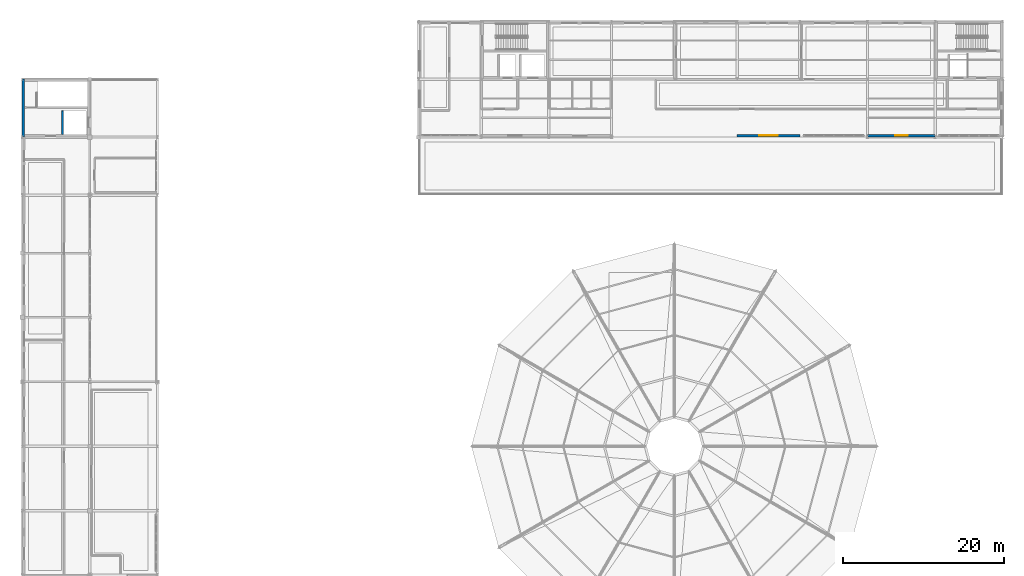
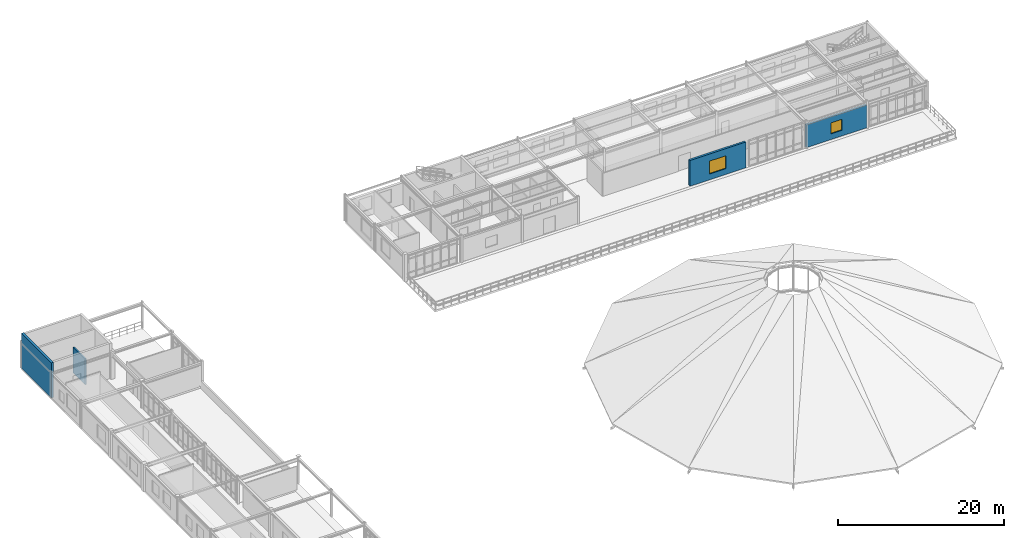
# One storey, part 51 of 58: 4 walls, 2 windows, 2 openings.
"""IFC4 building model written with IfcOpenShell, lengths in metres."""

from ifc_helpers import new_model, si_unit, derived_unit, direction, frame, frame_2d, origin, place, context, subcontext, project, spatial, rectangle, extrude, material, layer, layer_set, type_object, element, fill, save


model = new_model("IFC4")

# Units and contexts
model_context = context("Model", 3, precision=1e-05, world=origin(), true_north=direction((0.0, 1.0)))
body_context = subcontext(model_context, "Body", "Model", "MODEL_VIEW")
ifc_project = project(units=[si_unit("LENGTHUNIT", "METRE"), si_unit("AREAUNIT", "SQUARE_METRE"), si_unit("VOLUMEUNIT", "CUBIC_METRE"), si_unit("PLANEANGLEUNIT", "RADIAN"), si_unit("MASSUNIT", "GRAM", prefix="KILO"), derived_unit("THERMALTRANSMITTANCEUNIT", [(si_unit("POWERUNIT", "WATT"), 1), (si_unit("AREAUNIT", "SQUARE_METRE"), -1), (si_unit("THERMODYNAMICTEMPERATUREUNIT", "KELVIN"), -1)])], contexts=[model_context])

# Site, building, storey
site_placement = place(None, origin())
site = spatial("IfcSite", under=ifc_project, at=site_placement, CompositionType="ELEMENT")
building_placement = place(site_placement, origin())
building = spatial("IfcBuilding", under=site, at=building_placement, Name="Yasenodar Specialist Clinic", CompositionType="ELEMENT")
storey_placement = place(building_placement, frame((0.0, 0.0, 21.300048828125)))
storey = spatial("IfcBuildingStorey", under=building, at=storey_placement, Name="L05", CompositionType="ELEMENT", Elevation=21.300048828125)

# Wall, opening, window
ifc_material_1 = material(Name="Stepped Terrace Insulated Terracotta Wall", Category="masonry")
ifc_layer_1 = layer(ifc_material_1, 0.294921875)
ifc_layer_set_1 = layer_set([ifc_layer_1], Name="Stepped Terrace Insulated Terracotta Wall")
wall_type_1 = type_object("IfcWallType", Name="EW-TERR-295", PredefinedType="SOLIDWALL", material=ifc_layer_set_1)
wall_1_placement = place(storey_placement, frame((113.39990234375, 97.3701171875, 0.0), z_axis=(0.0, 0.0, 1.0), x_axis=(-1.0, 0.0, 0.0)))
wall_1 = element("IfcWall", 1, at=wall_1_placement, inside=storey, type_object=wall_type_1, Name="L05 Exterior Facade Wall 0149", PredefinedType="SOLIDWALL", context=body_context, shape_type="SweptSolid", body=[
    extrude(rectangle(XDim=8.39990234375, YDim=0.294921875, at=frame_2d((4.199951171875, 0.0))), origin(), (0.0, 0.0, 1.0), 3.327880859375),
])
opening_1_placement = place(wall_1_placement, frame((3.425048828125, 0.0, 0.85009765625)))
opening_1 = element("IfcOpeningElement", 2, at=opening_1_placement, cuts=wall_1, Name="Opening W-16", PredefinedType="OPENING", context=body_context, shape_type="SweptSolid", body=[
    extrude(rectangle(XDim=1.550048828125, YDim=1.60009765625, at=frame_2d((0.77490234375, 0.800048828125))), frame((0.0, 0.157470703125, 0.0), z_axis=(0.0, -1.0, 0.0), x_axis=(1.0, 0.0, 0.0)), (0.0, 0.0, 1.0), 0.31494140625),
])
ifc_material_2 = material(Name="Triple Low-E Argon Glazing in Bronze Aluminium Frame", Category="aluminium")
window_type_1 = type_object("IfcWindowType", Name="WIN-EXT-16", PartitioningType="SINGLE_PANEL", PredefinedType="WINDOW", material=ifc_material_2)
window_1_placement = place(opening_1_placement, origin())
window_1 = element("IfcWindow", 3, at=window_1_placement, inside=storey, type_object=window_type_1, Name="L05 Triple-Glazed Reveal Window 0164", OverallHeight=1.60009765625, OverallWidth=1.550048828125, PartitioningType="SINGLE_PANEL", PredefinedType="WINDOW", context=body_context, shape_type="SweptSolid", body=[
    extrude(rectangle(XDim=1.550048828125, YDim=1.60009765625, at=frame_2d((0.77490234375, 0.800048828125))), frame((0.0, 0.030029296875, 0.0), z_axis=(0.0, -1.0, 0.0), x_axis=(1.0, 0.0, 0.0)), (0.0, 0.0, 1.0), 0.06005859375),
])
fill(opening_1, window_1)

wall_2_placement = place(storey_placement, frame((96.60009765625, 97.3701171875, 0.0), z_axis=(0.0, 0.0, 1.0), x_axis=(-1.0, 0.0, 0.0)))
wall_2 = element("IfcWall", 4, at=wall_2_placement, inside=storey, type_object=wall_type_1, Name="L05 Exterior Facade Wall 0150", PredefinedType="SOLIDWALL", context=body_context, shape_type="SweptSolid", body=[
    extrude(rectangle(XDim=7.800048828125, YDim=0.294921875, at=frame_2d((3.89990234375, 0.0))), origin(), (0.0, 0.0, 1.0), 3.7900390625),
])
opening_2_placement = place(wall_2_placement, frame((2.75, 0.0, 0.85009765625)))
opening_2 = element("IfcOpeningElement", 5, at=opening_2_placement, cuts=wall_2, Name="Opening W-18", PredefinedType="OPENING", context=body_context, shape_type="SweptSolid", body=[
    extrude(rectangle(XDim=2.300048828125, YDim=1.89990234375, at=frame_2d((1.14990234375, 0.949951171875))), frame((0.0, 0.157470703125, 0.0), z_axis=(0.0, -1.0, 0.0), x_axis=(1.0, 0.0, 0.0)), (0.0, 0.0, 1.0), 0.31494140625),
])
window_type_2 = type_object("IfcWindowType", Name="WIN-EXT-18", PartitioningType="SINGLE_PANEL", PredefinedType="WINDOW", material=ifc_material_2)
window_2_placement = place(opening_2_placement, origin())
window_2 = element("IfcWindow", 6, at=window_2_placement, inside=storey, type_object=window_type_2, Name="L05 Triple-Glazed Reveal Window 0165", OverallHeight=1.89990234375, OverallWidth=2.300048828125, PartitioningType="SINGLE_PANEL", PredefinedType="WINDOW", context=body_context, shape_type="SweptSolid", body=[
    extrude(rectangle(XDim=2.300048828125, YDim=1.89990234375, at=frame_2d((1.14990234375, 0.949951171875))), frame((0.0, 0.030029296875, 0.0), z_axis=(0.0, -1.0, 0.0), x_axis=(1.0, 0.0, 0.0)), (0.0, 0.0, 1.0), 0.06005859375),
])
fill(opening_2, window_2)

# Walls
ifc_material_3 = material(Name="Aerated Concrete Blockwork Fire Shaft Wall", Category="masonry")
ifc_layer_2 = layer(ifc_material_3, 0.205078125)
ifc_layer_set_2 = layer_set([ifc_layer_2], Name="Aerated Concrete Blockwork Fire Shaft Wall")
wall_type_2 = type_object("IfcWallType", Name="IW-SHAFT-205", PredefinedType="PARTITIONING", material=ifc_layer_set_2)
wall_3_placement = place(storey_placement, frame((5.0, 97.550048828125, 0.0), z_axis=(0.0, 0.0, 1.0), x_axis=(0.0, 1.0, 0.0)))
element("IfcWall", 7, at=wall_3_placement, inside=storey, type_object=wall_type_2, Name="L05 LF-03 Lift Shaft Side Wall", PredefinedType="PARTITIONING", context=body_context, shape_type="SweptSolid", body=[
    extrude(rectangle(XDim=2.89990234375, YDim=0.205078125, at=frame_2d((1.449951171875, 0.0))), origin(), (0.0, 0.0, 1.0), 3.780029296875),
])
ifc_material_4 = material(Name="Concrete C35/45", Category="concrete")
ifc_layer_3 = layer(ifc_material_4, 0.300048828125)
ifc_layer_set_3 = layer_set([ifc_layer_3], Name="Concrete C35/45")
wall_type_3 = type_object("IfcWallType", Name="WL-CORE-300", PredefinedType="SHEAR", material=ifc_layer_set_3)
wall_4_placement = place(storey_placement, frame((0.14990234375, 97.199951171875, 0.0), z_axis=(0.0, 0.0, 1.0), x_axis=(0.0, 1.0, 0.0)))
element("IfcWall", 8, at=wall_4_placement, inside=storey, type_object=wall_type_3, Name="L05 Core C2 West Shear Wall", PredefinedType="SHEAR", context=body_context, shape_type="SweptSolid", body=[
    extrude(rectangle(XDim=7.199951171875, YDim=0.300048828125, at=frame_2d((3.60009765625, 0.0))), origin(), (0.0, 0.0, 1.0), 5.14990234375),
])

save(model, "model.ifc")
